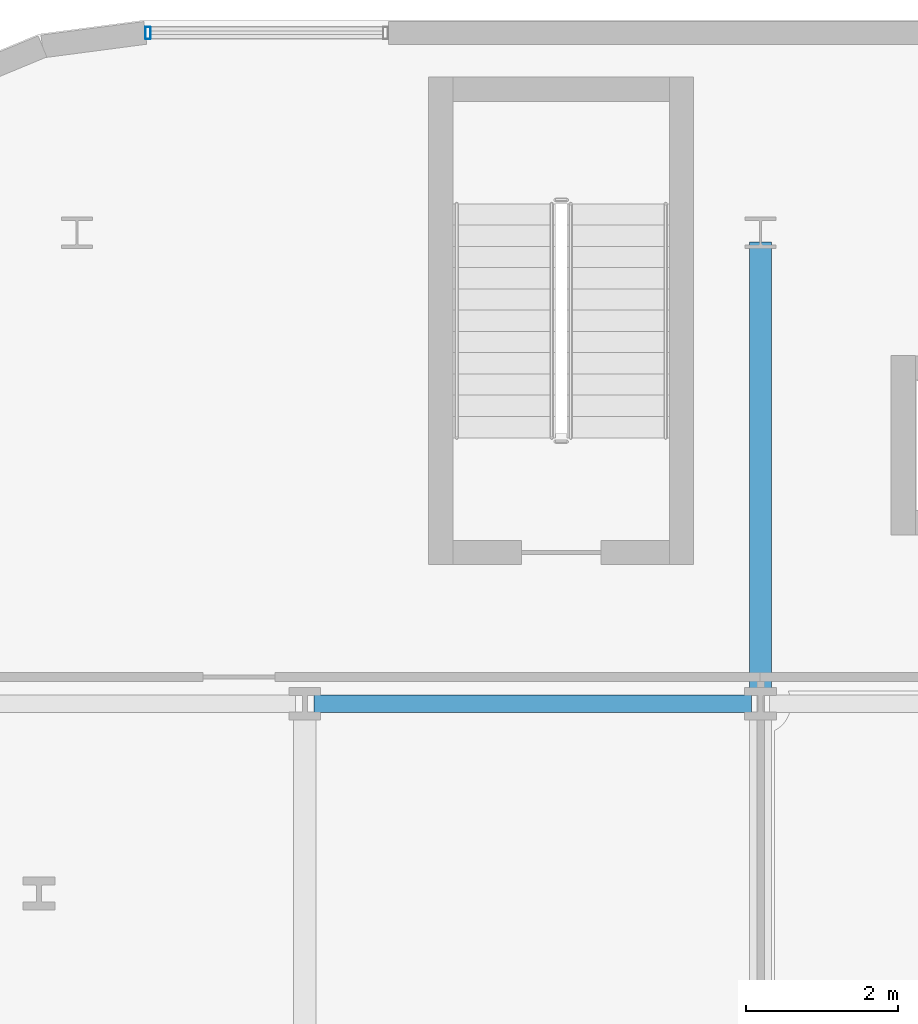
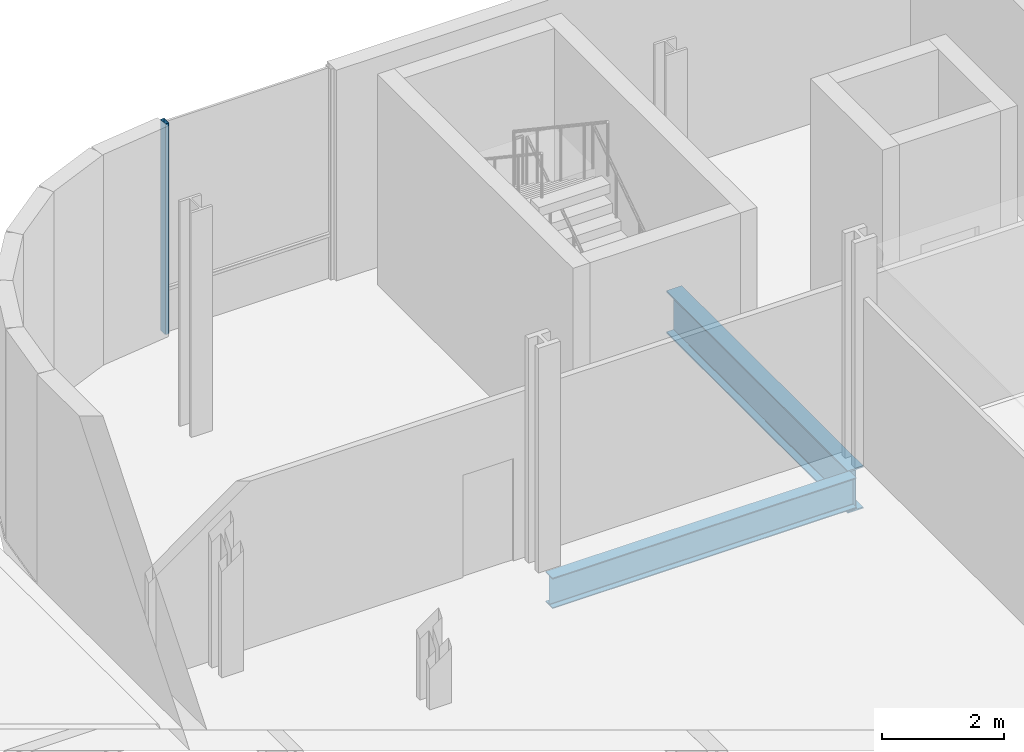
# One storey, part 4 of 26: 2 beams, 1 member, 1 element without a shape of its own.
"""IFC4 building model written with IfcOpenShell, lengths in metres."""

from ifc_helpers import new_model, si_unit, direction, frame, origin, origin_2d, place, context, subcontext, project, spatial, hollow_rectangle, i_section, extrude, material, layer, layer_set, material_profile, profile_set, type_object, element, aggregate, save


model = new_model("IFC4")

# Units and contexts
model_context = context("Model", 3, precision=1e-05, world=origin(), true_north=direction((0.0, 1.0)))
body_context = subcontext(model_context, "Body", "Model", "MODEL_VIEW")
ifc_project = project(units=[si_unit("LENGTHUNIT", "METRE"), si_unit("AREAUNIT", "SQUARE_METRE"), si_unit("VOLUMEUNIT", "CUBIC_METRE"), si_unit("PLANEANGLEUNIT", "RADIAN"), si_unit("MASSUNIT", "GRAM", prefix="KILO")], contexts=[model_context])

# Site, building, storey
site_placement = place(None, origin())
site = spatial("IfcSite", under=ifc_project, at=site_placement, CompositionType="ELEMENT")
building_placement = place(site_placement, origin())
building = spatial("IfcBuilding", under=site, at=building_placement, Name="Brevholm Reach", CompositionType="ELEMENT")
storey_placement = place(building_placement, frame((0.0, 0.0, 18.0)))
storey = spatial("IfcBuildingStorey", under=building, at=storey_placement, Name="L04", CompositionType="ELEMENT", Elevation=18.0)

# Beams
ifc_material_1 = material(Name="Structural Steel S355J2", Category="steel")
ifc_material_profile_1 = material_profile(ifc_material_1, i_section(OverallWidth=0.22900390625, OverallDepth=0.6123046875, WebThickness=0.011962890625, FlangeThickness=0.01953125, FilletRadius=0.0126953125, at=origin_2d()), Name="UKB 610x229x125")
ifc_profile_set_1 = profile_set([ifc_material_profile_1], Name="Structural Steel S355J2")
beam_type_1 = type_object("IfcBeamType", Name="BM-SP610", PredefinedType="SPANDREL", material=ifc_profile_set_1)
beam_1_placement = place(storey_placement, frame((6.1201171875, 31.0, -0.586181640625), z_axis=(1.0, 0.0, 0.0), x_axis=(0.0, 1.0, 0.0)))
element("IfcBeam", 1, at=beam_1_placement, inside=storey, type_object=beam_type_1, Name="L04 SP-01 Framing Beam", PredefinedType="SPANDREL", context=body_context, shape_type="SweptSolid", body=[
    extrude(i_section(OverallWidth=0.22900390625, OverallDepth=0.6123046875, WebThickness=0.011962890625, FlangeThickness=0.01953125, FilletRadius=0.0126953125, at=origin_2d()), origin(), (0.0, 0.0, 1.0), 5.759765625),
])
ifc_material_2 = material(Name="Structural Steel S355J2", Category="steel")
ifc_material_profile_2 = material_profile(ifc_material_2, i_section(OverallWidth=0.293701171875, OverallDepth=0.850830078125, WebThickness=0.01611328125, FlangeThickness=0.02685546875, FilletRadius=0.017822265625, at=origin_2d()), Name="UKB 838x292x226")
ifc_profile_set_2 = profile_set([ifc_material_profile_2], Name="Structural Steel S355J2")
beam_type_2 = type_object("IfcBeamType", Name="BM-UKB838", PredefinedType="USERDEFINED", material=ifc_profile_set_2)
beam_2_placement = place(storey_placement, frame((12.0, 31.1201171875, -0.70556640625), z_axis=(0.0, 1.0, 0.0), x_axis=(-1.0, 0.0, 0.0)))
element("IfcBeam", 2, at=beam_2_placement, inside=storey, type_object=beam_type_2, Name="L04 G-03 Framing Beam", ObjectType="GIRDER", PredefinedType="USERDEFINED", context=body_context, shape_type="SweptSolid", body=[
    extrude(i_section(OverallWidth=0.293701171875, OverallDepth=0.850830078125, WebThickness=0.01611328125, FlangeThickness=0.02685546875, FilletRadius=0.017822265625, at=origin_2d()), origin(), (0.0, 0.0, 1.0), 5.9599609375),
])

# Curtain wall, member
ifc_material_3 = material(Name="Dark Anodised Aluminium 6063-T6 and Solar-Control Glass", Category="aluminium")
ifc_layer = layer(ifc_material_3, 0.1650390625)
ifc_layer_set = layer_set([ifc_layer], Name="Dark Anodised Aluminium 6063-T6 and Solar-Control Glass")
curtain_wall_type = type_object("IfcCurtainWallType", Name="CW-03", PredefinedType="NOTDEFINED", material=ifc_layer_set)
curtain_wall_placement = place(storey_placement, origin())
curtain_wall = element("IfcCurtainWall", 3, at=curtain_wall_placement, inside=storey, type_object=curtain_wall_type, Name="L04 Curtain Wall CW-03", PredefinedType="NOTDEFINED")
ifc_material_4 = material(Name="Dark Anodised Aluminium 6063-T6", Category="aluminium")
ifc_material_profile_3 = material_profile(ifc_material_4, hollow_rectangle(XDim=0.070068359375, YDim=0.1650390625, WallThickness=0.0048828125, InnerFilletRadius=0.0048828125, OuterFilletRadius=0.010009765625, at=origin_2d()), Name="RHS 165x70x5")
ifc_profile_set_3 = profile_set([ifc_material_profile_3], Name="Dark Anodised Aluminium 6063-T6")
member_type = type_object("IfcMemberType", Name="CWM-165", PredefinedType="MULLION", material=ifc_profile_set_3)
member_placement = place(storey_placement, frame((3.93505859375, 39.830078125, 0.0), z_axis=(0.0, 0.0, 1.0), x_axis=(1.0, 0.0, 0.0)))
member = element("IfcMember", 4, at=member_placement, type_object=member_type, Name="CM-165 Mullion 1", PredefinedType="MULLION", context=body_context, shape_type="SweptSolid", body=[
    extrude(hollow_rectangle(XDim=0.070068359375, YDim=0.1650390625, WallThickness=0.0048828125, InnerFilletRadius=0.0048828125, OuterFilletRadius=0.010009765625, at=origin_2d()), origin(), (0.0, 0.0, 1.0), 4.219970703125),
])
aggregate(curtain_wall, [member])

save(model, "model.ifc")
